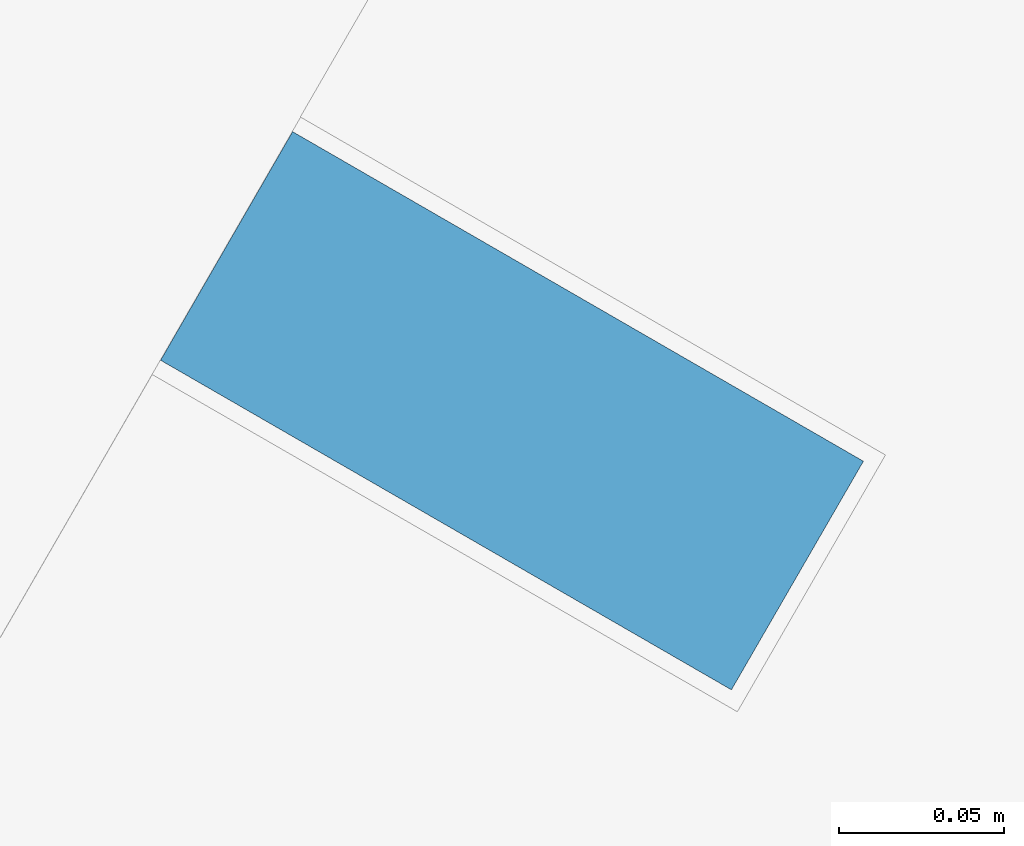
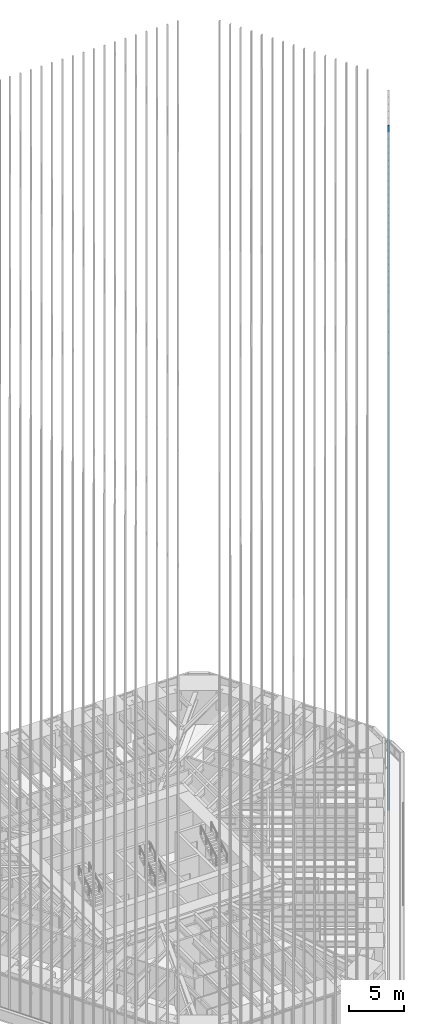
# One storey, part 115 of 238: 1 member, 1 element without a shape of its own.
"""IFC4 building model written with IfcOpenShell, lengths in metres."""

from ifc_helpers import new_model, si_unit, direction, frame, origin, origin_2d, place, context, subcontext, project, spatial, rectangle, extrude, material, material_profile, profile_set, type_object, element, aggregate, save


model = new_model("IFC4")

# Units and contexts
model_context = context("Model", 3, precision=1e-05, world=origin(), true_north=direction((0.0, 1.0)))
body_context = subcontext(model_context, "Body", "Model", "MODEL_VIEW")
ifc_project = project(units=[si_unit("LENGTHUNIT", "METRE"), si_unit("AREAUNIT", "SQUARE_METRE"), si_unit("VOLUMEUNIT", "CUBIC_METRE"), si_unit("PLANEANGLEUNIT", "RADIAN"), si_unit("MASSUNIT", "GRAM", prefix="KILO")], contexts=[model_context])

# Site, building, storey
site_placement = place(None, origin())
site = spatial("IfcSite", under=ifc_project, at=site_placement, CompositionType="ELEMENT")
building_placement = place(site_placement, origin())
building = spatial("IfcBuilding", under=site, at=building_placement, Name="Sandreach Pilgrim Tower", CompositionType="ELEMENT")
storey_placement = place(building_placement, frame((0.0, 0.0, 96.800048828125)))
storey = spatial("IfcBuildingStorey", under=building, at=storey_placement, Name="L23", CompositionType="ELEMENT", Elevation=96.800048828125)

# Curtain wall, member
ifc_material_1 = material(Name="Aluminium framed curtain wall", Category="aluminium")
curtain_wall_type = type_object("IfcCurtainWallType", Name="Hotel tower curtain wall", PredefinedType="NOTDEFINED", material=ifc_material_1)
curtain_wall_placement = place(storey_placement, origin())
curtain_wall = element("IfcCurtainWall", 1, at=curtain_wall_placement, inside=storey, type_object=curtain_wall_type, Name="CW-2 L23 SE", PredefinedType="NOTDEFINED")
ifc_material_2 = material(Name="Extruded terracotta on aluminium core", Category="masonry")
ifc_material_profile = material_profile(ifc_material_2, rectangle(XDim=0.080078125, YDim=0.199951171875, at=origin_2d()), Name="TBE 80X200")
ifc_profile_set = profile_set([ifc_material_profile], Name="Extruded terracotta on aluminium core")
member_type = type_object("IfcMemberType", Name="Terracotta baguette east", PredefinedType="USERDEFINED", material=ifc_profile_set)
member_placement = place(storey_placement, frame((25.880615234375, -0.961181640625, 0.0), z_axis=(0.0, 0.0, 1.0), x_axis=(-0.5, -0.866025403784, 0.0)))
member = element("IfcMember", 2, at=member_placement, type_object=member_type, Name="Baguette Z2 SE06", ObjectType="BAGUETTE", PredefinedType="USERDEFINED", context=body_context, shape_type="SweptSolid", body=[
    extrude(rectangle(XDim=0.080078125, YDim=0.199951171875, at=origin_2d()), origin(), (0.0, 0.0, 1.0), 75.83984375),
])
aggregate(curtain_wall, [member])

save(model, "model.ifc")
